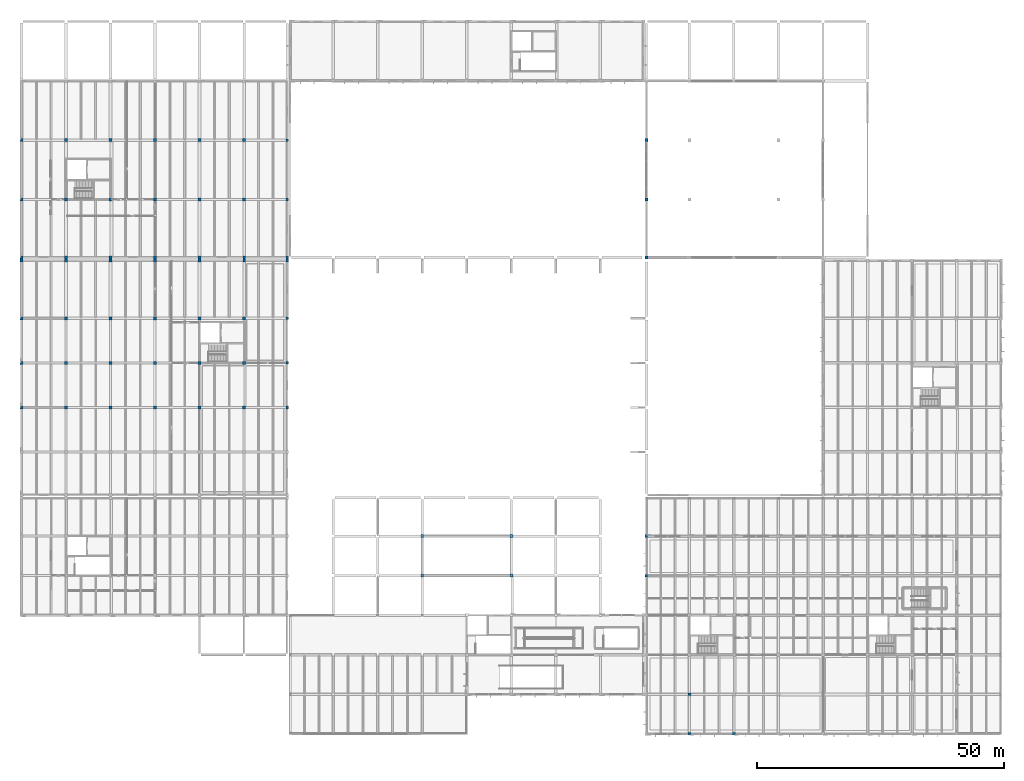
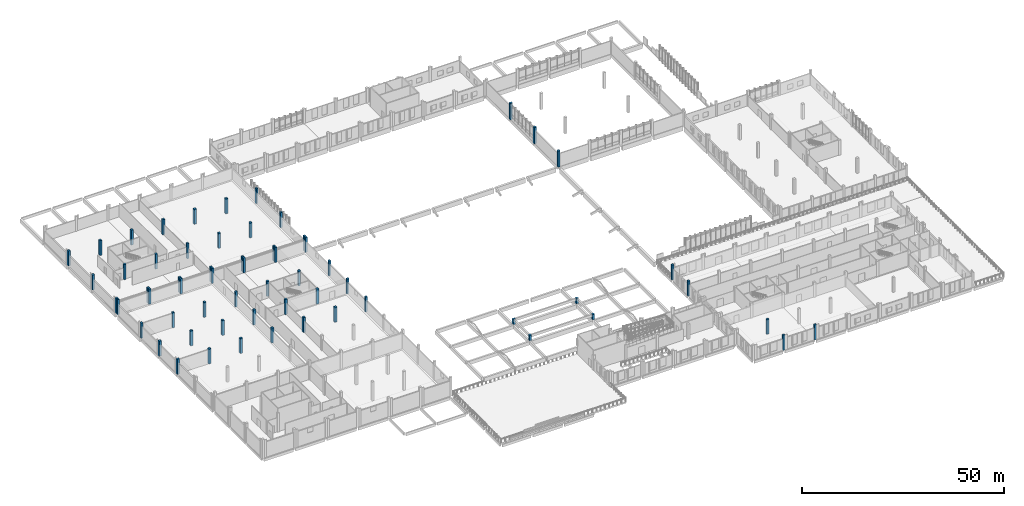
# One storey, part 3 of 63: 61 columns.
"""IFC4 building model written with IfcOpenShell, lengths in metres."""

from ifc_helpers import new_model, si_unit, direction, frame, origin, origin_2d, place, context, subcontext, project, spatial, rectangle, extrude, material, material_profile, profile_set, type_object, element, save


model = new_model("IFC4")

# Units and contexts
model_context = context("Model", 3, precision=1e-05, world=origin(), true_north=direction((0.0, 1.0)))
body_context = subcontext(model_context, "Body", "Model", "MODEL_VIEW")
ifc_project = project(units=[si_unit("LENGTHUNIT", "METRE"), si_unit("AREAUNIT", "SQUARE_METRE"), si_unit("VOLUMEUNIT", "CUBIC_METRE"), si_unit("PLANEANGLEUNIT", "RADIAN"), si_unit("MASSUNIT", "GRAM", prefix="KILO")], contexts=[model_context])

# Site, building, storey
site_placement = place(None, origin())
site = spatial("IfcSite", under=ifc_project, at=site_placement, CompositionType="ELEMENT")
building_placement = place(site_placement, origin())
building = spatial("IfcBuilding", under=site, at=building_placement, Name="Zacnel Wholesale Market", CompositionType="ELEMENT")
storey_placement = place(building_placement, frame((0.0, 0.0, 11.199951171875)))
storey = spatial("IfcBuildingStorey", under=building, at=storey_placement, Name="L03", CompositionType="ELEMENT", Elevation=11.199951171875)

# Columns
ifc_material_1 = material(Name="Precast concrete C45/55", Category="concrete")
ifc_material_profile_1 = material_profile(ifc_material_1, rectangle(XDim=0.550048828125, YDim=0.550048828125, at=origin_2d()), Name="PC 550x550")
ifc_profile_set_1 = profile_set([ifc_material_profile_1], Name="Precast concrete C45/55")
column_type_1 = type_object("IfcColumnType", Name="COL-PC550", PredefinedType="COLUMN", material=ifc_profile_set_1)
for number, where, z_axis, x_axis, name in (
    (1, (18.0, 95.699951171875, 0.0), (0.0, 0.0, 1.0), (1.0, 0.0, 0.0), "Precast column L03-0655"),
    (2, (18.0, 96.300048828125, 0.0), (0.0, 0.0, 1.0), (1.0, 0.0, 0.0), "Precast column L03-0656"),
    (3, (27.0, 95.699951171875, 0.0), (0.0, 0.0, 1.0), (1.0, 0.0, 0.0), "Precast column L03-0669"),
    (4, (27.0, 96.300048828125, 0.0), (0.0, 0.0, 1.0), (1.0, 0.0, 0.0), "Precast column L03-0670"),
    (5, (36.0, 95.699951171875, 0.0), (0.0, 0.0, 1.0), (1.0, 0.0, 0.0), "Precast column L03-0683"),
    (6, (36.0, 96.300048828125, 0.0), (0.0, 0.0, 1.0), (1.0, 0.0, 0.0), "Precast column L03-0684"),
    (7, (45.0, 95.699951171875, 0.0), (0.0, 0.0, 1.0), (1.0, 0.0, 0.0), "Precast column L03-0697"),
    (8, (45.0, 96.300048828125, 0.0), (0.0, 0.0, 1.0), (1.0, 0.0, 0.0), "Precast column L03-0698"),
    (9, (54.0, 95.699951171875, 0.0), (0.0, 0.0, 1.0), (1.0, 0.0, 0.0), "Precast column L03-0711"),
    (10, (54.0, 96.300048828125, 0.0), (0.0, 0.0, 1.0), (1.0, 0.0, 0.0), "Precast column L03-0712"),
    (11, (63.0, 95.699951171875, 0.0), (0.0, 0.0, 1.0), (1.0, 0.0, 0.0), "Precast column L03-0725"),
    (12, (63.0, 96.300048828125, 0.0), (0.0, 0.0, 1.0), (1.0, 0.0, 0.0), "Precast column L03-0726"),
    (13, (71.699951171875, 66.0, 0.0), (0.0, 0.0, 1.0), (1.0, 0.0, 0.0), "Precast column L03-0736"),
    (14, (71.699951171875, 75.0, 0.0), (0.0, 0.0, 1.0), (1.0, 0.0, 0.0), "Precast column L03-0737"),
    (15, (71.699951171875, 84.0, 0.0), (0.0, 0.0, 1.0), (1.0, 0.0, 0.0), "Precast column L03-0738"),
    (16, (71.699951171875, 95.699951171875, 0.0), (0.0, 0.0, 1.0), (1.0, 0.0, 0.0), "Precast column L03-0739"),
    (17, (71.699951171875, 96.300048828125, 0.0), (0.0, 0.0, 1.0), (1.0, 0.0, 0.0), "Precast column L03-0740"),
    (18, (71.699951171875, 108.0, 0.0), (0.0, 0.0, 1.0), (1.0, 0.0, 0.0), "Precast column L03-0741"),
    (19, (71.699951171875, 120.0, 0.0), (0.0, 0.0, 1.0), (1.0, 0.0, 0.0), "Precast column L03-0742"),
    (20, (144.300048828125, 32.0, 0.0), (0.0, 0.0, 1.0), (1.0, 0.0, 0.0), "Precast column L03-0766"),
    (21, (144.300048828125, 40.0, 0.0), (0.0, 0.0, 1.0), (1.0, 0.0, 0.0), "Precast column L03-0767"),
):
    element("IfcColumn", number, at=place(storey_placement, frame(where, z_axis=z_axis, x_axis=x_axis)), inside=storey, type_object=column_type_1, Name=name, PredefinedType="COLUMN", context=body_context, shape_type="SweptSolid", body=[
        extrude(rectangle(XDim=0.550048828125, YDim=0.550048828125, at=origin_2d()), origin(), (0.0, 0.0, 1.0), 4.550048828125),
    ])
ifc_material_2 = material(Name="Precast concrete C45/55", Category="concrete")
ifc_material_profile_2 = material_profile(ifc_material_2, rectangle(XDim=0.60009765625, YDim=0.60009765625, at=origin_2d()), Name="PC 600x600")
ifc_profile_set_2 = profile_set([ifc_material_profile_2], Name="Precast concrete C45/55")
column_type_2 = type_object("IfcColumnType", Name="COL-PC600", PredefinedType="COLUMN", material=ifc_profile_set_2)
for number, where, z_axis, x_axis, name in (
    (22, (18.0, 66.0, 0.0), (0.0, 0.0, 1.0), (1.0, 0.0, 0.0), "Precast column L03-0652"),
    (23, (18.0, 75.0, 0.0), (0.0, 0.0, 1.0), (1.0, 0.0, 0.0), "Precast column L03-0653"),
    (24, (18.0, 84.0, 0.0), (0.0, 0.0, 1.0), (1.0, 0.0, 0.0), "Precast column L03-0654"),
    (25, (18.0, 108.0, 0.0), (0.0, 0.0, 1.0), (1.0, 0.0, 0.0), "Precast column L03-0657"),
    (26, (18.0, 120.0, 0.0), (0.0, 0.0, 1.0), (1.0, 0.0, 0.0), "Precast column L03-0658"),
    (27, (27.0, 66.0, 0.0), (0.0, 0.0, 1.0), (1.0, 0.0, 0.0), "Precast column L03-0666"),
    (28, (27.0, 75.0, 0.0), (0.0, 0.0, 1.0), (1.0, 0.0, 0.0), "Precast column L03-0667"),
    (29, (27.0, 84.0, 0.0), (0.0, 0.0, 1.0), (1.0, 0.0, 0.0), "Precast column L03-0668"),
    (30, (27.0, 108.0, 0.0), (0.0, 0.0, 1.0), (1.0, 0.0, 0.0), "Precast column L03-0671"),
    (31, (27.0, 120.0, 0.0), (0.0, 0.0, 1.0), (1.0, 0.0, 0.0), "Precast column L03-0672"),
    (32, (36.0, 66.0, 0.0), (0.0, 0.0, 1.0), (1.0, 0.0, 0.0), "Precast column L03-0680"),
    (33, (36.0, 75.0, 0.0), (0.0, 0.0, 1.0), (1.0, 0.0, 0.0), "Precast column L03-0681"),
    (34, (36.0, 84.0, 0.0), (0.0, 0.0, 1.0), (1.0, 0.0, 0.0), "Precast column L03-0682"),
    (35, (36.0, 108.0, 0.0), (0.0, 0.0, 1.0), (1.0, 0.0, 0.0), "Precast column L03-0685"),
    (36, (36.0, 120.0, 0.0), (0.0, 0.0, 1.0), (1.0, 0.0, 0.0), "Precast column L03-0686"),
    (37, (45.0, 66.0, 0.0), (0.0, 0.0, 1.0), (1.0, 0.0, 0.0), "Precast column L03-0694"),
    (38, (45.0, 75.0, 0.0), (0.0, 0.0, 1.0), (1.0, 0.0, 0.0), "Precast column L03-0695"),
    (39, (45.0, 84.0, 0.0), (0.0, 0.0, 1.0), (1.0, 0.0, 0.0), "Precast column L03-0696"),
    (40, (45.0, 108.0, 0.0), (0.0, 0.0, 1.0), (1.0, 0.0, 0.0), "Precast column L03-0699"),
    (41, (45.0, 120.0, 0.0), (0.0, 0.0, 1.0), (1.0, 0.0, 0.0), "Precast column L03-0700"),
    (42, (54.0, 66.0, 0.0), (0.0, 0.0, 1.0), (1.0, 0.0, 0.0), "Precast column L03-0708"),
    (43, (54.0, 75.0, 0.0), (0.0, 0.0, 1.0), (1.0, 0.0, 0.0), "Precast column L03-0709"),
    (44, (54.0, 84.0, 0.0), (0.0, 0.0, 1.0), (1.0, 0.0, 0.0), "Precast column L03-0710"),
    (45, (54.0, 108.0, 0.0), (0.0, 0.0, 1.0), (1.0, 0.0, 0.0), "Precast column L03-0713"),
    (46, (54.0, 120.0, 0.0), (0.0, 0.0, 1.0), (1.0, 0.0, 0.0), "Precast column L03-0714"),
    (47, (63.0, 66.0, 0.0), (0.0, 0.0, 1.0), (1.0, 0.0, 0.0), "Precast column L03-0722"),
    (48, (63.0, 75.0, 0.0), (0.0, 0.0, 1.0), (1.0, 0.0, 0.0), "Precast column L03-0723"),
    (49, (63.0, 84.0, 0.0), (0.0, 0.0, 1.0), (1.0, 0.0, 0.0), "Precast column L03-0724"),
    (50, (63.0, 108.0, 0.0), (0.0, 0.0, 1.0), (1.0, 0.0, 0.0), "Precast column L03-0727"),
    (51, (63.0, 120.0, 0.0), (0.0, 0.0, 1.0), (1.0, 0.0, 0.0), "Precast column L03-0728"),
):
    element("IfcColumn", number, at=place(storey_placement, frame(where, z_axis=z_axis, x_axis=x_axis)), inside=storey, type_object=column_type_2, Name=name, PredefinedType="COLUMN", context=body_context, shape_type="SweptSolid", body=[
        extrude(rectangle(XDim=0.60009765625, YDim=0.60009765625, at=origin_2d()), origin(), (0.0, 0.0, 1.0), 4.550048828125),
    ])
column_placement = place(storey_placement, frame((144.300048828125, 96.300048828125, 0.0), z_axis=(0.0, 0.0, 1.0), x_axis=(1.0, 0.0, 0.0)))
element("IfcColumn", 52, at=column_placement, inside=storey, type_object=column_type_2, Name="Crossing drum perimeter column 01", PredefinedType="COLUMN", context=body_context, shape_type="SweptSolid", body=[
    extrude(rectangle(XDim=0.60009765625, YDim=0.60009765625, at=origin_2d()), origin(), (0.0, 0.0, 1.0), 4.900146484375),
])
for number, where, z_axis, x_axis, name in (
    (53, (99.0, 32.0, 2.449951171875), (0.0, 0.0, 1.0), (1.0, 0.0, 0.0), "Auction pavilion lantern drum column 01"),
    (54, (117.0, 32.0, 2.449951171875), (0.0, 0.0, 1.0), (1.0, 0.0, 0.0), "Auction pavilion lantern drum column 02"),
    (55, (99.0, 40.0, 2.449951171875), (0.0, 0.0, 1.0), (1.0, 0.0, 0.0), "Auction pavilion lantern drum column 03"),
    (56, (117.0, 40.0, 2.449951171875), (0.0, 0.0, 1.0), (1.0, 0.0, 0.0), "Auction pavilion lantern drum column 04"),
):
    element("IfcColumn", number, at=place(storey_placement, frame(where, z_axis=z_axis, x_axis=x_axis)), inside=storey, type_object=column_type_2, Name=name, PredefinedType="COLUMN", context=body_context, shape_type="SweptSolid", body=[
        extrude(rectangle(XDim=0.60009765625, YDim=0.60009765625, at=origin_2d()), origin(), (0.0, 0.0, 1.0), 1.60009765625),
    ])
ifc_material_3 = material(Name="Precast concrete C45/55", Category="concrete")
ifc_material_profile_3 = material_profile(ifc_material_3, rectangle(XDim=0.60009765625, YDim=0.5, at=origin_2d()), Name="PC 600x500")
ifc_profile_set_3 = profile_set([ifc_material_profile_3], Name="Precast concrete C45/55")
column_type_3 = type_object("IfcColumnType", Name="COL-PC600X500", PredefinedType="COLUMN", material=ifc_profile_set_3)
for number, where, z_axis, x_axis, name in (
    (57, (153.0, 0.0, 0.0), (0.0, 0.0, 1.0), (1.0, 0.0, 0.0), "Precast column L03-0768"),
    (58, (153.0, 8.0, 0.0), (0.0, 0.0, 1.0), (1.0, 0.0, 0.0), "Precast column L03-0769"),
    (59, (162.0, 0.0, 0.0), (0.0, 0.0, 1.0), (1.0, 0.0, 0.0), "Precast column L03-0774"),
):
    element("IfcColumn", number, at=place(storey_placement, frame(where, z_axis=z_axis, x_axis=x_axis)), inside=storey, type_object=column_type_3, Name=name, PredefinedType="COLUMN", context=body_context, shape_type="SweptSolid", body=[
        extrude(rectangle(XDim=0.60009765625, YDim=0.5, at=origin_2d()), origin(), (0.0, 0.0, 1.0), 4.550048828125),
    ])
ifc_material_4 = material(Name="Precast concrete C45/55", Category="concrete")
ifc_material_profile_4 = material_profile(ifc_material_4, rectangle(XDim=0.64990234375, YDim=0.64990234375, at=origin_2d()), Name="PC 650x650")
ifc_profile_set_4 = profile_set([ifc_material_profile_4], Name="Precast concrete C45/55")
column_type_4 = type_object("IfcColumnType", Name="COL-PC650", PredefinedType="COLUMN", material=ifc_profile_set_4)
for number, where, z_axis, x_axis, name in (
    (60, (144.300048828125, 108.0, 0.0), (0.0, 0.0, 1.0), (1.0, 0.0, 0.0), "Crossing drum column L03-05"),
    (61, (144.300048828125, 120.0, 0.0), (0.0, 0.0, 1.0), (1.0, 0.0, 0.0), "Crossing drum column L03-06"),
):
    element("IfcColumn", number, at=place(storey_placement, frame(where, z_axis=z_axis, x_axis=x_axis)), inside=storey, type_object=column_type_4, Name=name, PredefinedType="COLUMN", context=body_context, shape_type="SweptSolid", body=[
        extrude(rectangle(XDim=0.64990234375, YDim=0.64990234375, at=origin_2d()), origin(), (0.0, 0.0, 1.0), 4.900146484375),
    ])

save(model, "model.ifc")
